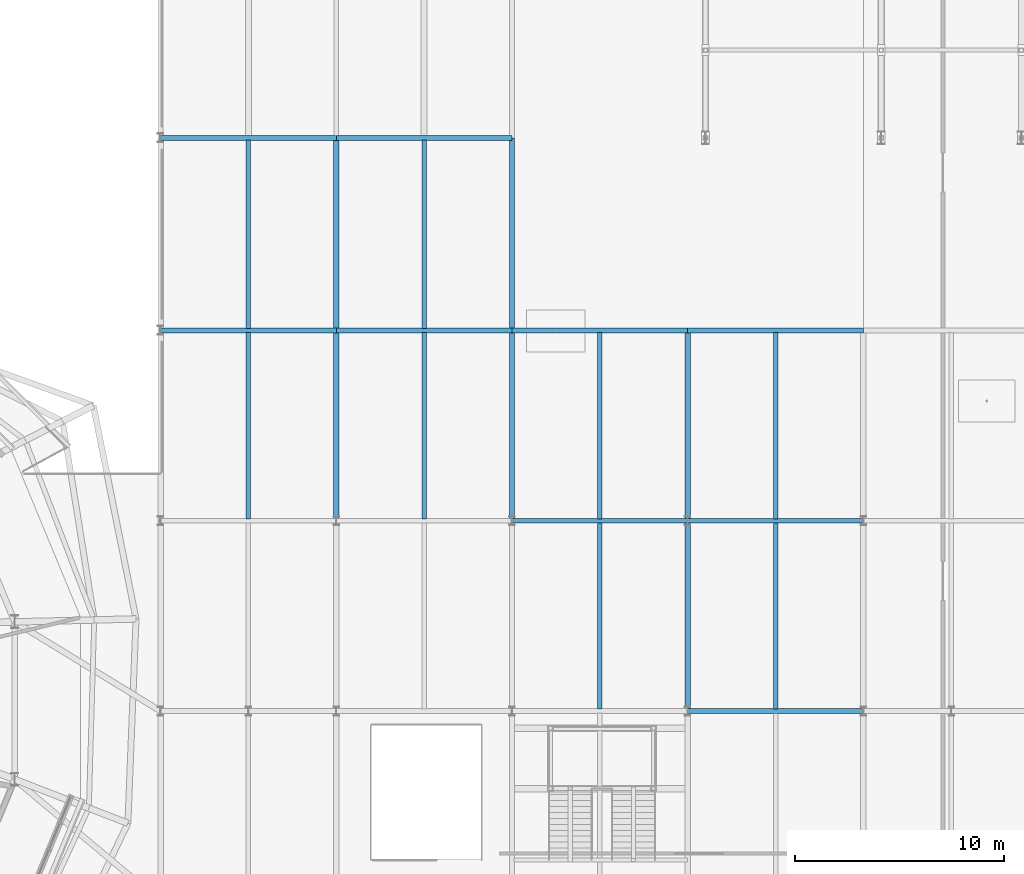
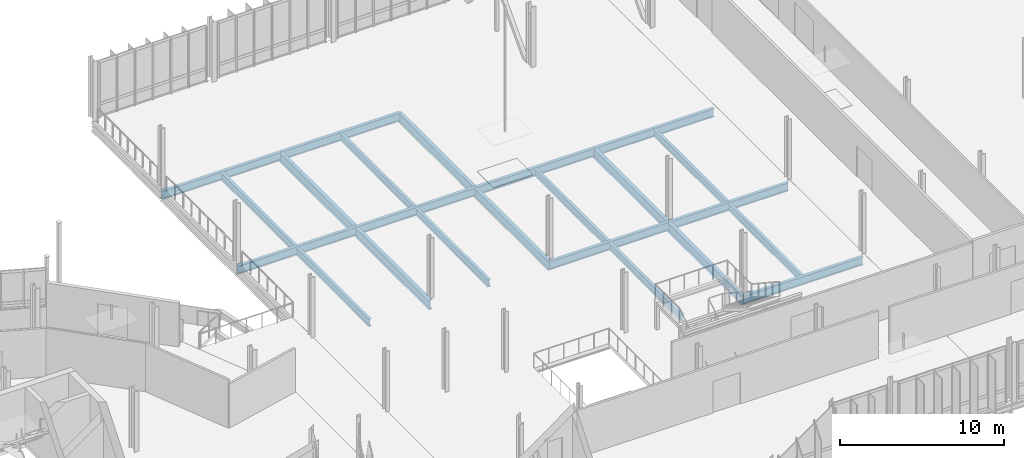
# One storey, part 61 of 139: 23 beams.
"""IFC4 building model written with IfcOpenShell, lengths in metres."""

import ifcopenshell
import ifcopenshell.guid

model = None  # the IFC model being written
_history = None  # IfcOwnerHistory: only IFC2X3 demands one
_inside = {}  # id of a spatial element -> (the spatial element, [elements in it])
_under = {}  # id of a project, library or spatial element -> (it, [spatial elements below it])
_declared = {}  # id of a project -> (the project, [libraries it declares])
_typed = {}  # id of a type object -> (the type object, [elements of that type])
_made_of = {}  # id of a material, layer set ... -> (it, [elements and type objects made of it])


def new_model(schema):
    """Start an empty IFC model of exactly this schema.

    Asked for "IFC4X3", IfcOpenShell would pick the latest addendum, in which some entities
    have other attributes; the version numbers below select the first issue.
    IFC2X3 requires an IfcOwnerHistory on every rooted entity: one is made here for all.
    """
    global model, _history
    if schema == "IFC4X3":
        model = ifcopenshell.file(schema_version=(4, 3, 0, 0))
    else:
        model = ifcopenshell.file(schema=schema)
    _inside.clear()
    _under.clear()
    _declared.clear()
    _typed.clear()
    _made_of.clear()
    _history = None
    if model.schema == "IFC2X3":
        org = make("IfcOrganization", Name="unknown")
        user = make(
            "IfcPersonAndOrganization",
            ThePerson=make("IfcPerson", FamilyName="unknown"),
            TheOrganization=org,
        )
        app = make(
            "IfcApplication",
            ApplicationDeveloper=org,
            Version="unknown",
            ApplicationFullName="unknown",
            ApplicationIdentifier="unknown",
        )
        _history = make(
            "IfcOwnerHistory",
            OwningUser=user,
            OwningApplication=app,
            ChangeAction="ADDED",
            CreationDate=0,
        )
    return model


def make(cls, **values):
    """One entity of the class cls with the attributes given. An attribute that is None is left unset."""
    return model.create_entity(
        cls, **{name: value for name, value in values.items() if value is not None}
    )


def rooted(cls, **values):
    """An entity with a GlobalId (a new one), such as an element, a storey or a relation."""
    return make(cls, GlobalId=ifcopenshell.guid.new(), OwnerHistory=_history, **values)


def si_unit(unit_type, name, prefix=None):
    """IfcSIUnit, for example si_unit("LENGTHUNIT", "METRE", prefix="MILLI")."""
    return make("IfcSIUnit", UnitType=unit_type, Prefix=prefix, Name=name)


def derived_unit(unit_type, elements):
    """IfcDerivedUnit: a product of units, each with its exponent."""
    return make(
        "IfcDerivedUnit",
        Elements=[
            make("IfcDerivedUnitElement", Unit=unit, Exponent=power)
            for unit, power in elements
        ],
        UnitType=unit_type,
    )


def assignment(units):
    """IfcUnitAssignment: the units of a project."""
    return None if units is None else make("IfcUnitAssignment", Units=units)


def point(xyz):
    """IfcCartesianPoint."""
    return None if xyz is None else make("IfcCartesianPoint", Coordinates=xyz)


def direction(xyz):
    """IfcDirection."""
    return None if xyz is None else make("IfcDirection", DirectionRatios=xyz)


def frame(location, z_axis=None, x_axis=None):
    """IfcAxis2Placement3D, a coordinate frame: its origin and axes. An axis left out is left unset."""
    return make(
        "IfcAxis2Placement3D",
        Location=point(location),
        Axis=direction(z_axis),
        RefDirection=direction(x_axis),
    )


def frame_2d(location, x_axis=None):
    """IfcAxis2Placement2D, a coordinate frame in the plane: its origin and x axis."""
    return make(
        "IfcAxis2Placement2D", Location=point(location), RefDirection=direction(x_axis)
    )


def origin():
    """The frame at (0, 0, 0) with its axes left unset."""
    return frame((0.0, 0.0, 0.0))


def origin_2d():
    """The frame at (0, 0) in the plane with its x axis left unset."""
    return frame_2d((0.0, 0.0))


def place(relative_to, where):
    """IfcLocalPlacement: puts the frame where relative to a parent placement (None: the world)."""
    return make(
        "IfcLocalPlacement", PlacementRelTo=relative_to, RelativePlacement=where
    )


def context(
    kind, dimensions, precision=None, world=None, true_north=None, identifier=None
):
    """IfcGeometricRepresentationContext, for example the 3D "Model" context."""
    return make(
        "IfcGeometricRepresentationContext",
        ContextIdentifier=identifier,
        ContextType=kind,
        CoordinateSpaceDimension=dimensions,
        Precision=precision,
        WorldCoordinateSystem=world,
        TrueNorth=true_north,
    )


def subcontext(parent, identifier, kind, view, scale=None):
    """IfcGeometricRepresentationSubContext, for example "Body" below "Model"."""
    return make(
        "IfcGeometricRepresentationSubContext",
        ContextIdentifier=identifier,
        ContextType=kind,
        ParentContext=parent,
        TargetScale=scale,
        TargetView=view,
    )


def project(units=None, contexts=None):
    """IfcProject with its units and contexts."""
    return rooted(
        "IfcProject",
        Name="project",
        RepresentationContexts=contexts,
        UnitsInContext=assignment(units),
    )


def spatial(cls, under=None, at=None, **own):
    """A site, building, storey or space (cls), placed at a placement, below another one or the project."""
    s = rooted(cls, ObjectPlacement=at, **own)
    if under is not None:
        _under.setdefault(under.id(), (under, []))[1].append(s)
    return s


def profile(cls, at=None, kind="AREA", **sizes):
    """A parametric profile (cls). Its sizes go by their IFC names, for example OverallWidth=200.0."""
    return make(cls, ProfileType=kind, Position=at, **sizes)


def i_section(**sizes):
    """IfcIShapeProfileDef."""
    return profile("IfcIShapeProfileDef", **sizes)


def extrude(swept, where, along, depth):
    """IfcExtrudedAreaSolid: the profile swept, set in the frame where, extruded along a direction by depth."""
    return make(
        "IfcExtrudedAreaSolid",
        SweptArea=swept,
        Position=where,
        ExtrudedDirection=direction(along),
        Depth=depth,
    )


def shape(context_of_items, identifier, shape_type, items):
    """IfcShapeRepresentation: the items that make up one representation, for example the "Body"."""
    return make(
        "IfcShapeRepresentation",
        ContextOfItems=context_of_items,
        RepresentationIdentifier=identifier,
        RepresentationType=shape_type,
        Items=items,
    )


def material(Name=None, Category=None):
    """IfcMaterial."""
    return make("IfcMaterial", Name=Name, Category=Category)


def material_profile(
    of_material, cross_section, Name=None, Category=None, Priority=None
):
    """IfcMaterialProfile: a cross section and its material."""
    return make(
        "IfcMaterialProfile",
        Name=Name,
        Material=of_material,
        Profile=cross_section,
        Priority=Priority,
        Category=Category,
    )


def profile_set(profiles, Name=None, composite=None):
    """IfcMaterialProfileSet."""
    return make(
        "IfcMaterialProfileSet",
        Name=Name,
        MaterialProfiles=profiles,
        CompositeProfile=composite,
    )


def made_of(thing, what):
    """Note that an element or type object is made of a material, layer set ...; save() writes the relation."""
    if what is not None:
        _made_of.setdefault(what.id(), (what, []))[1].append(thing)
    return thing


def type_object(cls, material=None, **own):
    """A type object (cls), such as IfcWallType, which elements share."""
    return made_of(rooted(cls, **own), material)


def element(
    cls,
    number,
    at=None,
    inside=None,
    cuts=None,
    type_object=None,
    material=None,
    context=None,
    identifier="Body",
    shape_type=None,
    held_by="IfcProductDefinitionShape",
    body=None,
    shapes=None,
    **own,
):
    """One element of the class cls, such as IfcWall. Its Tag is "e" and its number.

    at: its placement. inside: the storey or other place that contains it. cuts: it is an
    opening in that element (IfcRelVoidsElement). A single representation is given by context,
    identifier, shape_type and body (its items); several are given by shapes. held_by: the class
    of the entity that holds the representations. save() writes the other relations.
    """
    e = rooted(cls, Tag="e%d" % number, ObjectPlacement=at, **own)
    if body is not None:
        shapes = [shape(context, identifier, shape_type, body)]
    if shapes is not None:
        e.Representation = make(held_by, Representations=shapes)
    if inside is not None:
        _inside.setdefault(inside.id(), (inside, []))[1].append(e)
    if cuts is not None:
        rooted(
            "IfcRelVoidsElement", RelatingBuildingElement=cuts, RelatedOpeningElement=e
        )
    if type_object is not None:
        _typed.setdefault(type_object.id(), (type_object, []))[1].append(e)
    return made_of(e, material)


def aggregate(whole, parts):
    """IfcRelAggregates: a whole, such as a stair, and the parts it consists of."""
    return rooted("IfcRelAggregates", RelatingObject=whole, RelatedObjects=parts)


def save(model, path):
    """Write the relations noted so far, then the file.

    IfcRelAggregates (storeys below a building ...), IfcRelContainedInSpatialStructure (elements
    in a storey), IfcRelDefinesByType, IfcRelAssociatesMaterial and IfcRelDeclares: one each for
    every whole, place, type object, material and project.
    """
    for whole, parts in _under.values():
        aggregate(whole, parts)
    for where, things in _inside.values():
        rooted(
            "IfcRelContainedInSpatialStructure",
            RelatedElements=things,
            RelatingStructure=where,
        )
    for kind, things in _typed.values():
        rooted("IfcRelDefinesByType", RelatedObjects=things, RelatingType=kind)
    for what, things in _made_of.values():
        rooted("IfcRelAssociatesMaterial", RelatedObjects=things, RelatingMaterial=what)
    for by, libraries in _declared.values():
        rooted("IfcRelDeclares", RelatingContext=by, RelatedDefinitions=libraries)
    model.write(path)


model = new_model("IFC4")

# Units and contexts
model_context = context("Model", 3, precision=1e-05, world=origin(), true_north=direction((0.0, 1.0)))
body_context = subcontext(model_context, "Body", "Model", "MODEL_VIEW")
ifc_project = project(units=[si_unit("LENGTHUNIT", "METRE"), si_unit("AREAUNIT", "SQUARE_METRE"), si_unit("VOLUMEUNIT", "CUBIC_METRE"), si_unit("PLANEANGLEUNIT", "RADIAN"), si_unit("MASSUNIT", "GRAM", prefix="KILO"), derived_unit("THERMALTRANSMITTANCEUNIT", [(si_unit("MASSUNIT", "GRAM", prefix="KILO"), 1), (si_unit("TIMEUNIT", "SECOND"), -3), (si_unit("THERMODYNAMICTEMPERATUREUNIT", "KELVIN"), -1)])], contexts=[model_context])

# Site, building, storey
site_placement = place(None, origin())
site = spatial("IfcSite", under=ifc_project, at=site_placement, CompositionType="ELEMENT")
building_placement = place(site_placement, origin())
building = spatial("IfcBuilding", under=site, at=building_placement, Name="Makaiwela Harbour Ferry Terminal", CompositionType="ELEMENT")
storey_placement = place(building_placement, frame((0.0, 0.0, 5.10009765625)))
storey = spatial("IfcBuildingStorey", under=building, at=storey_placement, Name="L01", CompositionType="ELEMENT", Elevation=5.10009765625)

# Beams
ifc_material = material(Name="Steel ASTM A992 Grade 50", Category="steel")
ifc_material_profile_1 = material_profile(ifc_material, i_section(OverallWidth=0.2099609375, OverallDepth=0.537109375, WebThickness=0.010986328125, FlangeThickness=0.017333984375, at=origin_2d()), Name="W21X68")
ifc_profile_set_1 = profile_set([ifc_material_profile_1], Name="Steel ASTM A992 Grade 50")
beam_type_1 = type_object("IfcBeamType", Name="STR-BM-W21X68", PredefinedType="BEAM", material=ifc_profile_set_1)
beam_1_placement = place(storey_placement, frame((67.199951171875, 76.79638671875, -0.548583984375), z_axis=(0.0, 1.0, 0.0), x_axis=(-1.0, 0.0, 0.0)))
element("IfcBeam", 1, at=beam_1_placement, inside=storey, type_object=beam_type_1, Name="Secondary floor beam 1083", PredefinedType="BEAM", context=body_context, shape_type="SweptSolid", body=[
    extrude(i_section(OverallWidth=0.2099609375, OverallDepth=0.537109375, WebThickness=0.010986328125, FlangeThickness=0.017333984375, at=origin_2d()), origin(), (0.0, 0.0, 1.0), 8.9072265625),
])
beam_2_placement = place(storey_placement, frame((67.199951171875, 85.896484375, -0.548583984375), z_axis=(0.0, 1.0, 0.0), x_axis=(-1.0, 0.0, 0.0)))
element("IfcBeam", 2, at=beam_2_placement, inside=storey, type_object=beam_type_1, Name="Secondary floor beam 1084", PredefinedType="BEAM", context=body_context, shape_type="SweptSolid", body=[
    extrude(i_section(OverallWidth=0.2099609375, OverallDepth=0.537109375, WebThickness=0.010986328125, FlangeThickness=0.017333984375, at=origin_2d()), origin(), (0.0, 0.0, 1.0), 9.007080078125),
])
beam_3_placement = place(storey_placement, frame((75.60009765625, 76.79638671875, -0.548583984375), z_axis=(0.0, 1.0, 0.0), x_axis=(-1.0, 0.0, 0.0)))
element("IfcBeam", 3, at=beam_3_placement, inside=storey, type_object=beam_type_1, Name="Secondary floor beam 1091", PredefinedType="BEAM", context=body_context, shape_type="SweptSolid", body=[
    extrude(i_section(OverallWidth=0.2099609375, OverallDepth=0.537109375, WebThickness=0.010986328125, FlangeThickness=0.017333984375, at=origin_2d()), origin(), (0.0, 0.0, 1.0), 8.9072265625),
])
beam_4_placement = place(storey_placement, frame((75.60009765625, 85.896484375, -0.548583984375), z_axis=(0.0, 1.0, 0.0), x_axis=(-1.0, 0.0, 0.0)))
element("IfcBeam", 4, at=beam_4_placement, inside=storey, type_object=beam_type_1, Name="Secondary floor beam 1092", PredefinedType="BEAM", context=body_context, shape_type="SweptSolid", body=[
    extrude(i_section(OverallWidth=0.2099609375, OverallDepth=0.537109375, WebThickness=0.010986328125, FlangeThickness=0.017333984375, at=origin_2d()), origin(), (0.0, 0.0, 1.0), 9.007080078125),
])
beam_5_placement = place(storey_placement, frame((84.0, 67.696533203125, -0.548583984375), z_axis=(0.0, 1.0, 0.0), x_axis=(-1.0, 0.0, 0.0)))
element("IfcBeam", 5, at=beam_5_placement, inside=storey, type_object=beam_type_1, Name="Secondary floor beam 1100", PredefinedType="BEAM", context=body_context, shape_type="SweptSolid", body=[
    extrude(i_section(OverallWidth=0.2099609375, OverallDepth=0.537109375, WebThickness=0.010986328125, FlangeThickness=0.017333984375, at=origin_2d()), origin(), (0.0, 0.0, 1.0), 8.906982421875),
])
beam_6_placement = place(storey_placement, frame((84.0, 76.79638671875, -0.548583984375), z_axis=(0.0, 1.0, 0.0), x_axis=(-1.0, 0.0, 0.0)))
element("IfcBeam", 6, at=beam_6_placement, inside=storey, type_object=beam_type_1, Name="Secondary floor beam 1101", PredefinedType="BEAM", context=body_context, shape_type="SweptSolid", body=[
    extrude(i_section(OverallWidth=0.2099609375, OverallDepth=0.537109375, WebThickness=0.010986328125, FlangeThickness=0.017333984375, at=origin_2d()), origin(), (0.0, 0.0, 1.0), 8.9072265625),
])
beam_7_placement = place(storey_placement, frame((92.39990234375, 67.696533203125, -0.548583984375), z_axis=(0.0, 1.0, 0.0), x_axis=(-1.0, 0.0, 0.0)))
element("IfcBeam", 7, at=beam_7_placement, inside=storey, type_object=beam_type_1, Name="Secondary floor beam 1108", PredefinedType="BEAM", context=body_context, shape_type="SweptSolid", body=[
    extrude(i_section(OverallWidth=0.2099609375, OverallDepth=0.537109375, WebThickness=0.010986328125, FlangeThickness=0.017333984375, at=origin_2d()), origin(), (0.0, 0.0, 1.0), 8.906982421875),
])
beam_8_placement = place(storey_placement, frame((92.39990234375, 76.79638671875, -0.548583984375), z_axis=(0.0, 1.0, 0.0), x_axis=(-1.0, 0.0, 0.0)))
element("IfcBeam", 8, at=beam_8_placement, inside=storey, type_object=beam_type_1, Name="Secondary floor beam 1109", PredefinedType="BEAM", context=body_context, shape_type="SweptSolid", body=[
    extrude(i_section(OverallWidth=0.2099609375, OverallDepth=0.537109375, WebThickness=0.010986328125, FlangeThickness=0.017333984375, at=origin_2d()), origin(), (0.0, 0.0, 1.0), 8.9072265625),
])
ifc_material_profile_2 = material_profile(ifc_material, i_section(OverallWidth=0.22900390625, OverallDepth=0.612060546875, WebThickness=0.011962890625, FlangeThickness=0.01953125, at=origin_2d()), Name="W24X84")
ifc_profile_set_2 = profile_set([ifc_material_profile_2], Name="Steel ASTM A992 Grade 50")
beam_type_2 = type_object("IfcBeamType", Name="STR-GRD-W24X84", PredefinedType="USERDEFINED", material=ifc_profile_set_2)
beam_9_placement = place(storey_placement, frame((88.199951171875, 67.60009765625, -0.586181640625), z_axis=(1.0, 0.0, 0.0), x_axis=(0.0, 1.0, 0.0)))
element("IfcBeam", 9, at=beam_9_placement, inside=storey, type_object=beam_type_2, Name="Primary X girder 852", ObjectType="GIRDER", PredefinedType="USERDEFINED", context=body_context, shape_type="SweptSolid", body=[
    extrude(i_section(OverallWidth=0.22900390625, OverallDepth=0.612060546875, WebThickness=0.011962890625, FlangeThickness=0.01953125, at=origin_2d()), origin(), (0.0, 0.0, 1.0), 8.400146484375),
])
beam_10_placement = place(storey_placement, frame((79.800048828125, 76.699951171875, -0.586181640625), z_axis=(1.0, 0.0, 0.0), x_axis=(0.0, 1.0, 0.0)))
element("IfcBeam", 10, at=beam_10_placement, inside=storey, type_object=beam_type_2, Name="Primary X girder 869", ObjectType="GIRDER", PredefinedType="USERDEFINED", context=body_context, shape_type="SweptSolid", body=[
    extrude(i_section(OverallWidth=0.22900390625, OverallDepth=0.612060546875, WebThickness=0.011962890625, FlangeThickness=0.01953125, at=origin_2d()), origin(), (0.0, 0.0, 1.0), 8.39990234375),
])
beam_11_placement = place(storey_placement, frame((88.199951171875, 76.699951171875, -0.586181640625), z_axis=(1.0, 0.0, 0.0), x_axis=(0.0, 1.0, 0.0)))
element("IfcBeam", 11, at=beam_11_placement, inside=storey, type_object=beam_type_2, Name="Primary X girder 870", ObjectType="GIRDER", PredefinedType="USERDEFINED", context=body_context, shape_type="SweptSolid", body=[
    extrude(i_section(OverallWidth=0.22900390625, OverallDepth=0.612060546875, WebThickness=0.011962890625, FlangeThickness=0.01953125, at=origin_2d()), origin(), (0.0, 0.0, 1.0), 8.400146484375),
])
beam_12_placement = place(storey_placement, frame((63.0, 85.800048828125, -0.586181640625), z_axis=(1.0, 0.0, 0.0), x_axis=(0.0, 1.0, 0.0)))
element("IfcBeam", 12, at=beam_12_placement, inside=storey, type_object=beam_type_2, Name="Primary X girder 880", ObjectType="GIRDER", PredefinedType="USERDEFINED", context=body_context, shape_type="SweptSolid", body=[
    extrude(i_section(OverallWidth=0.22900390625, OverallDepth=0.612060546875, WebThickness=0.011962890625, FlangeThickness=0.01953125, at=origin_2d()), origin(), (0.0, 0.0, 1.0), 8.39990234375),
])
beam_13_placement = place(storey_placement, frame((71.39990234375, 85.800048828125, -0.586181640625), z_axis=(1.0, 0.0, 0.0), x_axis=(0.0, 1.0, 0.0)))
element("IfcBeam", 13, at=beam_13_placement, inside=storey, type_object=beam_type_2, Name="Primary X girder 881", ObjectType="GIRDER", PredefinedType="USERDEFINED", context=body_context, shape_type="SweptSolid", body=[
    extrude(i_section(OverallWidth=0.22900390625, OverallDepth=0.612060546875, WebThickness=0.011962890625, FlangeThickness=0.01953125, at=origin_2d()), origin(), (0.0, 0.0, 1.0), 8.400146484375),
])
beam_14_placement = place(storey_placement, frame((79.800048828125, 85.800048828125, -0.586181640625), z_axis=(1.0, 0.0, 0.0), x_axis=(0.0, 1.0, 0.0)))
element("IfcBeam", 14, at=beam_14_placement, inside=storey, type_object=beam_type_2, Name="Primary X girder 882", ObjectType="GIRDER", PredefinedType="USERDEFINED", context=body_context, shape_type="SweptSolid", body=[
    extrude(i_section(OverallWidth=0.22900390625, OverallDepth=0.612060546875, WebThickness=0.011962890625, FlangeThickness=0.01953125, at=origin_2d()), origin(), (0.0, 0.0, 1.0), 8.39990234375),
])
beam_15_placement = place(storey_placement, frame((88.199951171875, 85.800048828125, -0.586181640625), z_axis=(1.0, 0.0, 0.0), x_axis=(0.0, 1.0, 0.0)))
element("IfcBeam", 15, at=beam_15_placement, inside=storey, type_object=beam_type_2, Name="Primary X girder 883", ObjectType="GIRDER", PredefinedType="USERDEFINED", context=body_context, shape_type="SweptSolid", body=[
    extrude(i_section(OverallWidth=0.22900390625, OverallDepth=0.612060546875, WebThickness=0.011962890625, FlangeThickness=0.01953125, at=origin_2d()), origin(), (0.0, 0.0, 1.0), 8.400146484375),
])
beam_16_placement = place(storey_placement, frame((63.0, 95.0, -0.586181640625), z_axis=(1.0, 0.0, 0.0), x_axis=(0.0, 1.0, 0.0)))
element("IfcBeam", 16, at=beam_16_placement, inside=storey, type_object=beam_type_2, Name="Primary X girder 893", ObjectType="GIRDER", PredefinedType="USERDEFINED", context=body_context, shape_type="SweptSolid", body=[
    extrude(i_section(OverallWidth=0.22900390625, OverallDepth=0.612060546875, WebThickness=0.011962890625, FlangeThickness=0.01953125, at=origin_2d()), origin(), (0.0, 0.0, 1.0), 8.39990234375),
])
beam_17_placement = place(storey_placement, frame((71.39990234375, 95.0, -0.586181640625), z_axis=(1.0, 0.0, 0.0), x_axis=(0.0, 1.0, 0.0)))
element("IfcBeam", 17, at=beam_17_placement, inside=storey, type_object=beam_type_2, Name="Primary X girder 894", ObjectType="GIRDER", PredefinedType="USERDEFINED", context=body_context, shape_type="SweptSolid", body=[
    extrude(i_section(OverallWidth=0.22900390625, OverallDepth=0.612060546875, WebThickness=0.011962890625, FlangeThickness=0.01953125, at=origin_2d()), origin(), (0.0, 0.0, 1.0), 8.400146484375),
])
ifc_material_profile_3 = material_profile(ifc_material, i_section(OverallWidth=0.256103515625, OverallDepth=0.693115234375, WebThickness=0.014404296875, FlangeThickness=0.023681640625, at=origin_2d()), Name="W27X114")
ifc_profile_set_3 = profile_set([ifc_material_profile_3], Name="Steel ASTM A992 Grade 50")
beam_type_3 = type_object("IfcBeamType", Name="STR-GRD-W27X114", PredefinedType="USERDEFINED", material=ifc_profile_set_3)
beam_18_placement = place(storey_placement, frame((71.39990234375, 76.699951171875, -0.626708984375), z_axis=(0.0, 1.0, 0.0), x_axis=(-1.0, 0.0, 0.0)))
element("IfcBeam", 18, at=beam_18_placement, inside=storey, type_object=beam_type_3, Name="Primary Y girder 943", ObjectType="GIRDER", PredefinedType="USERDEFINED", context=body_context, shape_type="SweptSolid", body=[
    extrude(i_section(OverallWidth=0.256103515625, OverallDepth=0.693115234375, WebThickness=0.014404296875, FlangeThickness=0.023681640625, at=origin_2d()), origin(), (0.0, 0.0, 1.0), 9.10009765625),
])
beam_19_placement = place(storey_placement, frame((71.39990234375, 85.800048828125, -0.626708984375), z_axis=(0.0, 1.0, 0.0), x_axis=(-1.0, 0.0, 0.0)))
element("IfcBeam", 19, at=beam_19_placement, inside=storey, type_object=beam_type_3, Name="Primary Y girder 944", ObjectType="GIRDER", PredefinedType="USERDEFINED", context=body_context, shape_type="SweptSolid", body=[
    extrude(i_section(OverallWidth=0.256103515625, OverallDepth=0.693115234375, WebThickness=0.014404296875, FlangeThickness=0.023681640625, at=origin_2d()), origin(), (0.0, 0.0, 1.0), 9.199951171875),
])
beam_20_placement = place(storey_placement, frame((79.800048828125, 76.699951171875, -0.626708984375), z_axis=(0.0, 1.0, 0.0), x_axis=(-1.0, 0.0, 0.0)))
element("IfcBeam", 20, at=beam_20_placement, inside=storey, type_object=beam_type_3, Name="Primary Y girder 953", ObjectType="GIRDER", PredefinedType="USERDEFINED", context=body_context, shape_type="SweptSolid", body=[
    extrude(i_section(OverallWidth=0.256103515625, OverallDepth=0.693115234375, WebThickness=0.014404296875, FlangeThickness=0.023681640625, at=origin_2d()), origin(), (0.0, 0.0, 1.0), 9.10009765625),
])
beam_21_placement = place(storey_placement, frame((79.800048828125, 85.800048828125, -0.626708984375), z_axis=(0.0, 1.0, 0.0), x_axis=(-1.0, 0.0, 0.0)))
element("IfcBeam", 21, at=beam_21_placement, inside=storey, type_object=beam_type_3, Name="Primary Y girder 954", ObjectType="GIRDER", PredefinedType="USERDEFINED", context=body_context, shape_type="SweptSolid", body=[
    extrude(i_section(OverallWidth=0.256103515625, OverallDepth=0.693115234375, WebThickness=0.014404296875, FlangeThickness=0.023681640625, at=origin_2d()), origin(), (0.0, 0.0, 1.0), 9.199951171875),
])
beam_22_placement = place(storey_placement, frame((88.199951171875, 67.60009765625, -0.626708984375), z_axis=(0.0, 1.0, 0.0), x_axis=(-1.0, 0.0, 0.0)))
element("IfcBeam", 22, at=beam_22_placement, inside=storey, type_object=beam_type_3, Name="Primary Y girder 962", ObjectType="GIRDER", PredefinedType="USERDEFINED", context=body_context, shape_type="SweptSolid", body=[
    extrude(i_section(OverallWidth=0.256103515625, OverallDepth=0.693115234375, WebThickness=0.014404296875, FlangeThickness=0.023681640625, at=origin_2d()), origin(), (0.0, 0.0, 1.0), 9.099853515625),
])
beam_23_placement = place(storey_placement, frame((88.199951171875, 76.699951171875, -0.626708984375), z_axis=(0.0, 1.0, 0.0), x_axis=(-1.0, 0.0, 0.0)))
element("IfcBeam", 23, at=beam_23_placement, inside=storey, type_object=beam_type_3, Name="Primary Y girder 963", ObjectType="GIRDER", PredefinedType="USERDEFINED", context=body_context, shape_type="SweptSolid", body=[
    extrude(i_section(OverallWidth=0.256103515625, OverallDepth=0.693115234375, WebThickness=0.014404296875, FlangeThickness=0.023681640625, at=origin_2d()), origin(), (0.0, 0.0, 1.0), 9.10009765625),
])

save(model, "model.ifc")
